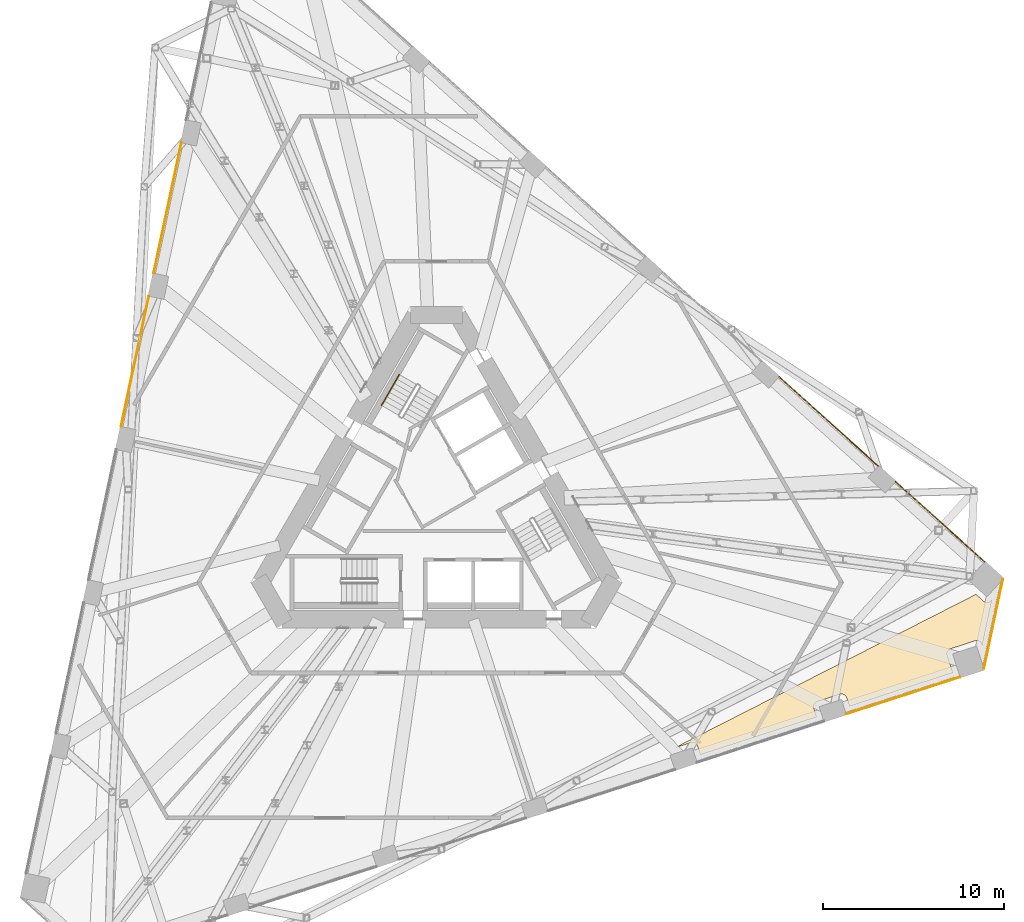
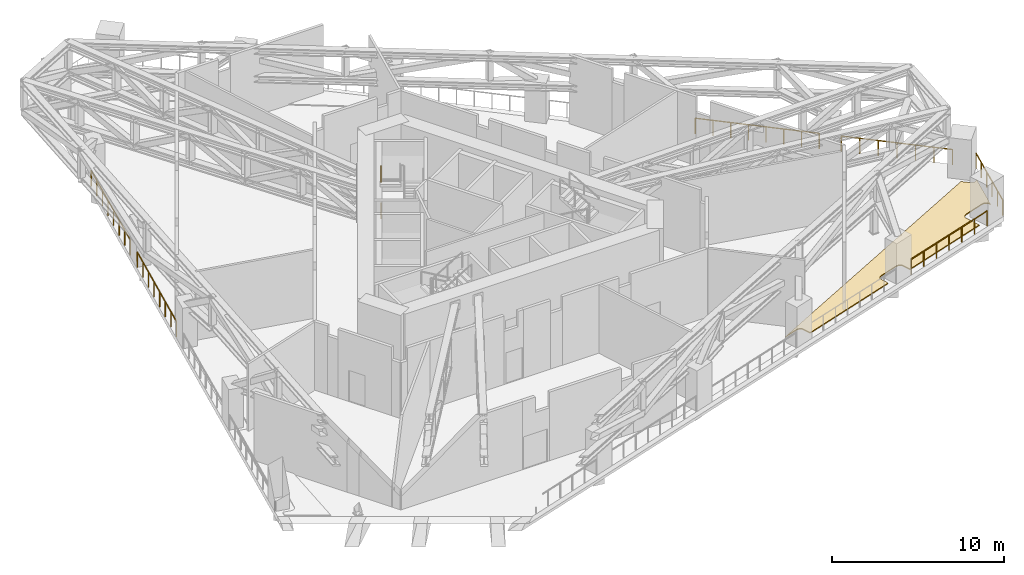
# One storey, part 22 of 24: 8 railings, 2 coverings.
"""IFC4 building model written with IfcOpenShell, lengths in metres."""

from ifc_helpers import new_model, si_unit, direction, frame, origin, origin_2d, place, context, subcontext, project, spatial, polyline, circle, outline, extrude, material, layer, layer_set, type_object, element, save


model = new_model("IFC4")

# Units and contexts
model_context = context("Model", 3, precision=1e-05, world=origin(), true_north=direction((0.0, 1.0)))
body_context = subcontext(model_context, "Body", "Model", "MODEL_VIEW")
ifc_project = project(units=[si_unit("LENGTHUNIT", "METRE"), si_unit("AREAUNIT", "SQUARE_METRE"), si_unit("VOLUMEUNIT", "CUBIC_METRE"), si_unit("PLANEANGLEUNIT", "RADIAN"), si_unit("MASSUNIT", "GRAM", prefix="KILO")], contexts=[model_context])

# Site, building, storey
site_placement = place(None, origin())
site = spatial("IfcSite", under=ifc_project, at=site_placement, CompositionType="ELEMENT")
building_placement = place(site_placement, origin())
building = spatial("IfcBuilding", under=site, at=building_placement, Name="Tramontana Tower", CompositionType="ELEMENT")
storey_placement = place(building_placement, frame((0.0, 0.0, 120.39990234375)))
storey = spatial("IfcBuildingStorey", under=building, at=storey_placement, Name="L27", CompositionType="ELEMENT", Elevation=120.39990234375)

# Railings
ifc_material_1 = material(Name="Stainless steel rail and posts", Category="steel")
railing_type_1 = type_object("IfcRailingType", Name="GD2 Terrace guard 1100", PredefinedType="GUARDRAIL", material=ifc_material_1)
railing_1_placement = place(storey_placement, frame((-15.892333984375, 11.567138671875, 0.0)))
element("IfcRailing", 1, at=railing_1_placement, inside=storey, type_object=railing_type_1, Name="Edge guard L27 6", PredefinedType="GUARDRAIL", context=body_context, shape_type="SweptSolid", body=[
    extrude(circle(Radius=0.02392578125, at=origin_2d()), frame((0.0, 0.0, 1.076171875), z_axis=(-0.20791588359, -0.978146709523, 0.0), x_axis=(0.978146709523, -0.20791588359, 0.0)), (0.0, 0.0, 1.0), 7.360107421875),
    extrude(circle(Radius=0.02099609375, at=origin_2d()), origin(), (0.0, 0.0, 1.0), 1.052001953125),
    extrude(circle(Radius=0.02099609375, at=origin_2d()), frame((-0.218505859375, -1.028564453125, 0.0)), (0.0, 0.0, 1.0), 1.052001953125),
    extrude(circle(Radius=0.02099609375, at=origin_2d()), frame((-0.437255859375, -2.056884765625, 0.0)), (0.0, 0.0, 1.0), 1.052001953125),
    extrude(circle(Radius=0.02099609375, at=origin_2d()), frame((-0.65576171875, -3.08544921875, 0.0)), (0.0, 0.0, 1.0), 1.052001953125),
    extrude(circle(Radius=0.02099609375, at=origin_2d()), frame((-0.87451171875, -4.11376953125, 0.0)), (0.0, 0.0, 1.0), 1.052001953125),
    extrude(circle(Radius=0.02099609375, at=origin_2d()), frame((-1.093017578125, -5.142333984375, 0.0)), (0.0, 0.0, 1.0), 1.052001953125),
    extrude(circle(Radius=0.02099609375, at=origin_2d()), frame((-1.311767578125, -6.170654296875, 0.0)), (0.0, 0.0, 1.0), 1.052001953125),
    extrude(circle(Radius=0.02099609375, at=origin_2d()), frame((-1.5302734375, -7.19921875, 0.0)), (0.0, 0.0, 1.0), 1.052001953125),
])
railing_2_placement = place(storey_placement, frame((-14.091796875, 20.038330078125, 0.0)))
element("IfcRailing", 2, at=railing_2_placement, inside=storey, type_object=railing_type_1, Name="Edge guard L27 7", PredefinedType="GUARDRAIL", context=body_context, shape_type="SweptSolid", body=[
    extrude(circle(Radius=0.02392578125, at=origin_2d()), frame((0.0, 0.0, 1.076171875), z_axis=(-0.207909137741, -0.978148143403, 0.0), x_axis=(0.978148143403, -0.207909137741, 0.0)), (0.0, 0.0, 1.0), 7.3603515625),
    extrude(circle(Radius=0.02099609375, at=origin_2d()), origin(), (0.0, 0.0, 1.0), 1.052001953125),
    extrude(circle(Radius=0.02099609375, at=origin_2d()), frame((-0.218505859375, -1.028564453125, 0.0)), (0.0, 0.0, 1.0), 1.052001953125),
    extrude(circle(Radius=0.02099609375, at=origin_2d()), frame((-0.437255859375, -2.056884765625, 0.0)), (0.0, 0.0, 1.0), 1.052001953125),
    extrude(circle(Radius=0.02099609375, at=origin_2d()), frame((-0.65576171875, -3.08544921875, 0.0)), (0.0, 0.0, 1.0), 1.052001953125),
    extrude(circle(Radius=0.02099609375, at=origin_2d()), frame((-0.87451171875, -4.114013671875, 0.0)), (0.0, 0.0, 1.0), 1.052001953125),
    extrude(circle(Radius=0.02099609375, at=origin_2d()), frame((-1.093017578125, -5.142578125, 0.0)), (0.0, 0.0, 1.0), 1.052001953125),
    extrude(circle(Radius=0.02099609375, at=origin_2d()), frame((-1.311767578125, -6.1708984375, 0.0)), (0.0, 0.0, 1.0), 1.052001953125),
    extrude(circle(Radius=0.02099609375, at=origin_2d()), frame((-1.5302734375, -7.199462890625, 0.0)), (0.0, 0.0, 1.0), 1.052001953125),
])
railing_3_placement = place(storey_placement, frame((24.3994140625, 2.184814453125, 0.0)))
element("IfcRailing", 3, at=railing_3_placement, inside=storey, type_object=railing_type_1, Name="Edge guard L27 18", PredefinedType="GUARDRAIL", context=body_context, shape_type="SweptSolid", body=[
    extrude(circle(Radius=0.02392578125, at=origin_2d()), frame((0.0, 0.0, 1.076171875), z_axis=(-0.743155583218, 0.669118658484, 0.0), x_axis=(-0.669118658484, -0.743155583218, 0.0)), (0.0, 0.0, 1.0), 7.360107421875),
    extrude(circle(Radius=0.02099609375, at=origin_2d()), origin(), (0.0, 0.0, 1.0), 1.052001953125),
    extrude(circle(Radius=0.02099609375, at=origin_2d()), frame((-0.781494140625, 0.70361328125, 0.0)), (0.0, 0.0, 1.0), 1.052001953125),
    extrude(circle(Radius=0.02099609375, at=origin_2d()), frame((-1.562744140625, 1.406982421875, 0.0)), (0.0, 0.0, 1.0), 1.052001953125),
    extrude(circle(Radius=0.02099609375, at=origin_2d()), frame((-2.34423828125, 2.110595703125, 0.0)), (0.0, 0.0, 1.0), 1.052001953125),
    extrude(circle(Radius=0.02099609375, at=origin_2d()), frame((-3.12548828125, 2.814208984375, 0.0)), (0.0, 0.0, 1.0), 1.052001953125),
    extrude(circle(Radius=0.02099609375, at=origin_2d()), frame((-3.906982421875, 3.517822265625, 0.0)), (0.0, 0.0, 1.0), 1.052001953125),
    extrude(circle(Radius=0.02099609375, at=origin_2d()), frame((-4.688232421875, 4.22119140625, 0.0)), (0.0, 0.0, 1.0), 1.052001953125),
    extrude(circle(Radius=0.02099609375, at=origin_2d()), frame((-5.4697265625, 4.9248046875, 0.0)), (0.0, 0.0, 1.0), 1.052001953125),
])
railing_4_placement = place(storey_placement, frame((22.637939453125, -11.518310546875, 0.0)))
element("IfcRailing", 4, at=railing_4_placement, inside=storey, type_object=railing_type_1, Name="Edge guard L27 19", PredefinedType="GUARDRAIL", context=body_context, shape_type="SweptSolid", body=[
    extrude(circle(Radius=0.02392578125, at=origin_2d()), frame((0.0, 0.0, 1.076171875), z_axis=(0.951053066386, 0.309027611901, 0.0), x_axis=(-0.309027611901, 0.951053066386, 0.0)), (0.0, 0.0, 1.0), 6.610107421875),
    extrude(circle(Radius=0.02099609375, at=origin_2d()), origin(), (0.0, 0.0, 1.0), 1.052001953125),
    extrude(circle(Radius=0.02099609375, at=origin_2d()), frame((1.0478515625, 0.34033203125, 0.0)), (0.0, 0.0, 1.0), 1.052001953125),
    extrude(circle(Radius=0.02099609375, at=origin_2d()), frame((2.095458984375, 0.680908203125, 0.0)), (0.0, 0.0, 1.0), 1.052001953125),
    extrude(circle(Radius=0.02099609375, at=origin_2d()), frame((3.143310546875, 1.021484375, 0.0)), (0.0, 0.0, 1.0), 1.052001953125),
    extrude(circle(Radius=0.02099609375, at=origin_2d()), frame((4.191162109375, 1.36181640625, 0.0)), (0.0, 0.0, 1.0), 1.052001953125),
    extrude(circle(Radius=0.02099609375, at=origin_2d()), frame((5.23876953125, 1.7021484375, 0.0)), (0.0, 0.0, 1.0), 1.052001953125),
    extrude(circle(Radius=0.02099609375, at=origin_2d()), frame((6.28662109375, 2.042724609375, 0.0)), (0.0, 0.0, 1.0), 1.052001953125),
])
railing_5_placement = place(storey_placement, frame((30.278076171875, -3.1083984375, 0.0)))
element("IfcRailing", 5, at=railing_5_placement, inside=storey, type_object=railing_type_1, Name="Edge guard L27 20", PredefinedType="GUARDRAIL", context=body_context, shape_type="SweptSolid", body=[
    extrude(circle(Radius=0.02392578125, at=origin_2d()), frame((0.0, 0.0, 1.076171875), z_axis=(-0.743143543235, 0.669132030431, 0.0), x_axis=(-0.669132030431, -0.743143543235, 0.0)), (0.0, 0.0, 1.0), 6.610595703125),
    extrude(circle(Radius=0.02099609375, at=origin_2d()), origin(), (0.0, 0.0, 1.0), 1.052001953125),
    extrude(circle(Radius=0.02099609375, at=origin_2d()), frame((-0.81884765625, 0.7373046875, 0.0)), (0.0, 0.0, 1.0), 1.052001953125),
    extrude(circle(Radius=0.02099609375, at=origin_2d()), frame((-1.637451171875, 1.474365234375, 0.0)), (0.0, 0.0, 1.0), 1.052001953125),
    extrude(circle(Radius=0.02099609375, at=origin_2d()), frame((-2.456298828125, 2.211669921875, 0.0)), (0.0, 0.0, 1.0), 1.052001953125),
    extrude(circle(Radius=0.02099609375, at=origin_2d()), frame((-3.275146484375, 2.948974609375, 0.0)), (0.0, 0.0, 1.0), 1.052001953125),
    extrude(circle(Radius=0.02099609375, at=origin_2d()), frame((-4.09375, 3.68603515625, 0.0)), (0.0, 0.0, 1.0), 1.052001953125),
    extrude(circle(Radius=0.02099609375, at=origin_2d()), frame((-4.91259765625, 4.42333984375, 0.0)), (0.0, 0.0, 1.0), 1.052001953125),
])
railing_6_placement = place(storey_placement, frame((30.240478515625, -8.995361328125, 0.0)))
element("IfcRailing", 6, at=railing_6_placement, inside=storey, type_object=railing_type_1, Name="Edge guard L27 21", PredefinedType="GUARDRAIL", context=body_context, shape_type="SweptSolid", body=[
    extrude(circle(Radius=0.02392578125, at=origin_2d()), frame((0.0, 0.0, 1.076171875), z_axis=(0.207935489662, 0.978142541831, 0.0), x_axis=(-0.978142541831, 0.207935489662, 0.0)), (0.0, 0.0, 1.0), 5.02294921875),
    extrude(circle(Radius=0.02099609375, at=origin_2d()), origin(), (0.0, 0.0, 1.0), 1.052001953125),
    extrude(circle(Radius=0.02099609375, at=origin_2d()), frame((0.208984375, 0.982666015625, 0.0)), (0.0, 0.0, 1.0), 1.052001953125),
    extrude(circle(Radius=0.02099609375, at=origin_2d()), frame((0.417724609375, 1.96533203125, 0.0)), (0.0, 0.0, 1.0), 1.052001953125),
    extrude(circle(Radius=0.02099609375, at=origin_2d()), frame((0.626708984375, 2.94775390625, 0.0)), (0.0, 0.0, 1.0), 1.052001953125),
    extrude(circle(Radius=0.02099609375, at=origin_2d()), frame((0.83544921875, 3.930419921875, 0.0)), (0.0, 0.0, 1.0), 1.052001953125),
    extrude(circle(Radius=0.02099609375, at=origin_2d()), frame((1.04443359375, 4.9130859375, 0.0)), (0.0, 0.0, 1.0), 1.052001953125),
])

# Covering
ifc_material_2 = material(Name="Limestone paving 60", Category="masonry")
ifc_layer_1 = layer(ifc_material_2, 0.06005859375)
ifc_layer_set_1 = layer_set([ifc_layer_1], Name="PV1 Terrace paving 60")
covering_type_1 = type_object("IfcCoveringType", Name="PV1 Terrace paving 60", PredefinedType="FLOORING", material=ifc_layer_set_1)
covering_1_placement = place(storey_placement, frame((0.0, 0.0, 0.010009765625)))
element("IfcCovering", 7, at=covering_1_placement, inside=storey, type_object=covering_type_1, Name="Terrace paving L27 3", PredefinedType="FLOORING", context=body_context, shape_type="SweptSolid", body=[
    extrude(outline(polyline([(30.14892578125, -7.74267578125), (30.124267578125, -7.666259765625), (30.11376953125, -7.638916015625), (30.1005859375, -7.612548828125), (30.0849609375, -7.58740234375), (30.06689453125, -7.564208984375), (30.046875, -7.542724609375), (30.024658203125, -7.5234375), (30.00048828125, -7.50634765625), (29.97509765625, -7.49169921875), (29.9482421875, -7.479736328125), (29.920166015625, -7.47021484375), (29.8916015625, -7.463623046875), (29.8623046875, -7.4599609375), (29.8330078125, -7.458984375), (29.8037109375, -7.461181640625), (29.774658203125, -7.466064453125), (29.74609375, -7.4736328125), (28.41455078125, -7.90625), (28.38720703125, -7.916748046875), (28.36083984375, -7.929931640625), (28.3359375, -7.945556640625), (28.3125, -7.963623046875), (28.291015625, -7.983642578125), (28.271728515625, -8.005859375), (28.254638671875, -8.030029296875), (28.239990234375, -8.055419921875), (28.22802734375, -8.082275390625), (28.21875, -8.1103515625), (28.212158203125, -8.138916015625), (28.208251953125, -8.168212890625), (28.20751953125, -8.197509765625), (28.20947265625, -8.226806640625), (28.21435546875, -8.255859375), (28.22216796875, -8.284423828125), (28.531005859375, -9.2353515625), (22.81494140625, -11.0927734375), (22.660400390625, -10.6171875), (22.64990234375, -10.589599609375), (22.636962890625, -10.563232421875), (22.621337890625, -10.538330078125), (22.603271484375, -10.51513671875), (22.5830078125, -10.49365234375), (22.560791015625, -10.474365234375), (22.536865234375, -10.457275390625), (22.511474609375, -10.442626953125), (22.484619140625, -10.430419921875), (22.45654296875, -10.421142578125), (22.427978515625, -10.41455078125), (22.398681640625, -10.410888671875), (22.369384765625, -10.409912109375), (22.33984375, -10.411865234375), (22.310791015625, -10.416748046875), (22.282470703125, -10.424560546875), (21.046142578125, -10.826171875), (21.0185546875, -10.836669921875), (20.9921875, -10.849853515625), (20.96728515625, -10.865478515625), (20.94384765625, -10.883544921875), (20.922607421875, -10.903564453125), (20.903076171875, -10.92578125), (20.88623046875, -10.949951171875), (20.87158203125, -10.975341796875), (20.859375, -11.002197265625), (20.85009765625, -11.0302734375), (20.843505859375, -11.058837890625), (20.839599609375, -11.088134765625), (20.8388671875, -11.117431640625), (20.8408203125, -11.14697265625), (20.845703125, -11.17578125), (20.853515625, -11.204345703125), (21.008056640625, -11.679931640625), (14.57861328125, -13.768798828125), (14.424072265625, -13.293212890625), (14.41357421875, -13.265869140625), (14.400634765625, -13.239501953125), (14.385009765625, -13.214599609375), (14.366943359375, -13.191162109375), (14.3466796875, -13.169677734375), (14.324462890625, -13.150390625), (14.300537109375, -13.13330078125), (14.27490234375, -13.11865234375), (14.248046875, -13.106689453125), (14.22021484375, -13.097412109375), (14.19140625, -13.0908203125), (14.162353515625, -13.0869140625), (14.1328125, -13.086181640625), (14.103515625, -13.088134765625), (14.074462890625, -13.093017578125), (14.046142578125, -13.100830078125), (13.136474609375, -13.396240234375), (29.805419921875, -4.903076171875), (30.21435546875, -5.271240234375), (30.237060546875, -5.289794921875), (30.26171875, -5.30615234375), (30.28759765625, -5.31982421875), (30.31494140625, -5.3310546875), (30.343017578125, -5.339599609375), (30.3720703125, -5.34521484375), (30.4013671875, -5.347900390625), (30.4306640625, -5.347900390625), (30.4599609375, -5.344970703125), (30.48876953125, -5.339111328125), (30.51708984375, -5.33056640625), (30.544189453125, -5.319091796875), (30.570068359375, -5.30517578125), (30.594482421875, -5.28857421875), (30.6171875, -5.27001953125), (30.637939453125, -5.2490234375), (30.691650390625, -5.189208984375), (30.14892578125, -7.74267578125)])), origin(), (0.0, 0.0, 1.0), 0.06005859375),
])

# Railings
ifc_material_3 = material(Name="Painted steel", Category="steel")
railing_type_2 = type_object("IfcRailingType", Name="STAIR HANDRAIL 900", PredefinedType="HANDRAIL", material=ifc_material_3)
railing_7_placement = place(storey_placement, frame((-2.056640625, 7.238037109375, 1.462646484375)))
element("IfcRailing", 8, at=railing_7_placement, inside=storey, type_object=railing_type_2, Name="L27 ST1 stair handrail 2", PredefinedType="HANDRAIL", context=body_context, shape_type="SweptSolid", body=[
    extrude(circle(Radius=0.02392578125, at=origin_2d()), frame((0.0, 0.0, 0.8759765625), z_axis=(-0.432431929651, -0.749053115811, 0.501918375746), x_axis=(0.866042469362, -0.499970440388, 0.0)), (0.0, 0.0, 1.0), 2.26611328125),
    extrude(circle(Radius=0.02099609375, at=origin_2d()), origin(), (0.0, 0.0, 1.0), 0.851806640625),
    extrude(circle(Radius=0.02099609375, at=origin_2d()), frame((-0.489990234375, -0.8486328125, 0.56884765625)), (0.0, 0.0, 1.0), 0.851806640625),
    extrude(circle(Radius=0.02099609375, at=origin_2d()), frame((-0.97998046875, -1.697509765625, 1.137451171875)), (0.0, 0.0, 1.0), 0.851806640625),
])
railing_8_placement = place(storey_placement, frame((-2.056640625, 7.238037109375, 4.0625)))
element("IfcRailing", 9, at=railing_8_placement, inside=storey, type_object=railing_type_2, Name="L27 ST1 stair handrail 4", PredefinedType="HANDRAIL", context=body_context, shape_type="SweptSolid", body=[
    extrude(circle(Radius=0.02392578125, at=origin_2d()), frame((0.0, 0.0, 0.8759765625), z_axis=(-0.432408546523, -0.749012611852, 0.501998960338), x_axis=(0.866042469362, -0.499970440388, 0.0)), (0.0, 0.0, 1.0), 2.266357421875),
    extrude(circle(Radius=0.02099609375, at=origin_2d()), origin(), (0.0, 0.0, 1.0), 0.851806640625),
    extrude(circle(Radius=0.02099609375, at=origin_2d()), frame((-0.489990234375, -0.8486328125, 0.56884765625)), (0.0, 0.0, 1.0), 0.851806640625),
    extrude(circle(Radius=0.02099609375, at=origin_2d()), frame((-0.97998046875, -1.697509765625, 1.1376953125)), (0.0, 0.0, 1.0), 0.851806640625),
])

# Covering
ifc_material_4 = material(Name="Bituminous waterproofing membrane")
ifc_layer_2 = layer(ifc_material_4, 0.010009765625)
ifc_layer_set_2 = layer_set([ifc_layer_2], Name="WP1 Terrace waterproofing membrane 10")
covering_type_2 = type_object("IfcCoveringType", Name="WP1 Terrace waterproofing membrane 10", PredefinedType="MEMBRANE", material=ifc_layer_set_2)
covering_2_placement = place(storey_placement, origin())
element("IfcCovering", 10, at=covering_2_placement, inside=storey, type_object=covering_type_2, Name="Terrace membrane L27 3", PredefinedType="MEMBRANE", context=body_context, shape_type="SweptSolid", body=[
    extrude(outline(polyline([(30.14892578125, -7.74267578125), (30.124267578125, -7.666259765625), (30.11376953125, -7.638916015625), (30.1005859375, -7.612548828125), (30.0849609375, -7.58740234375), (30.06689453125, -7.564208984375), (30.046875, -7.542724609375), (30.024658203125, -7.5234375), (30.00048828125, -7.50634765625), (29.97509765625, -7.49169921875), (29.9482421875, -7.479736328125), (29.920166015625, -7.47021484375), (29.8916015625, -7.463623046875), (29.8623046875, -7.4599609375), (29.8330078125, -7.458984375), (29.8037109375, -7.461181640625), (29.774658203125, -7.466064453125), (29.74609375, -7.4736328125), (28.41455078125, -7.90625), (28.38720703125, -7.916748046875), (28.36083984375, -7.929931640625), (28.3359375, -7.945556640625), (28.3125, -7.963623046875), (28.291015625, -7.983642578125), (28.271728515625, -8.005859375), (28.254638671875, -8.030029296875), (28.239990234375, -8.055419921875), (28.22802734375, -8.082275390625), (28.21875, -8.1103515625), (28.212158203125, -8.138916015625), (28.208251953125, -8.168212890625), (28.20751953125, -8.197509765625), (28.20947265625, -8.226806640625), (28.21435546875, -8.255859375), (28.22216796875, -8.284423828125), (28.531005859375, -9.2353515625), (22.81494140625, -11.0927734375), (22.660400390625, -10.6171875), (22.64990234375, -10.589599609375), (22.636962890625, -10.563232421875), (22.621337890625, -10.538330078125), (22.603271484375, -10.51513671875), (22.5830078125, -10.49365234375), (22.560791015625, -10.474365234375), (22.536865234375, -10.457275390625), (22.511474609375, -10.442626953125), (22.484619140625, -10.430419921875), (22.45654296875, -10.421142578125), (22.427978515625, -10.41455078125), (22.398681640625, -10.410888671875), (22.369384765625, -10.409912109375), (22.33984375, -10.411865234375), (22.310791015625, -10.416748046875), (22.282470703125, -10.424560546875), (21.046142578125, -10.826171875), (21.0185546875, -10.836669921875), (20.9921875, -10.849853515625), (20.96728515625, -10.865478515625), (20.94384765625, -10.883544921875), (20.922607421875, -10.903564453125), (20.903076171875, -10.92578125), (20.88623046875, -10.949951171875), (20.87158203125, -10.975341796875), (20.859375, -11.002197265625), (20.85009765625, -11.0302734375), (20.843505859375, -11.058837890625), (20.839599609375, -11.088134765625), (20.8388671875, -11.117431640625), (20.8408203125, -11.14697265625), (20.845703125, -11.17578125), (20.853515625, -11.204345703125), (21.008056640625, -11.679931640625), (14.57861328125, -13.768798828125), (14.424072265625, -13.293212890625), (14.41357421875, -13.265869140625), (14.400634765625, -13.239501953125), (14.385009765625, -13.214599609375), (14.366943359375, -13.191162109375), (14.3466796875, -13.169677734375), (14.324462890625, -13.150390625), (14.300537109375, -13.13330078125), (14.27490234375, -13.11865234375), (14.248046875, -13.106689453125), (14.22021484375, -13.097412109375), (14.19140625, -13.0908203125), (14.162353515625, -13.0869140625), (14.1328125, -13.086181640625), (14.103515625, -13.088134765625), (14.074462890625, -13.093017578125), (14.046142578125, -13.100830078125), (13.136474609375, -13.396240234375), (29.805419921875, -4.903076171875), (30.21435546875, -5.271240234375), (30.237060546875, -5.289794921875), (30.26171875, -5.30615234375), (30.28759765625, -5.31982421875), (30.31494140625, -5.3310546875), (30.343017578125, -5.339599609375), (30.3720703125, -5.34521484375), (30.4013671875, -5.347900390625), (30.4306640625, -5.347900390625), (30.4599609375, -5.344970703125), (30.48876953125, -5.339111328125), (30.51708984375, -5.33056640625), (30.544189453125, -5.319091796875), (30.570068359375, -5.30517578125), (30.594482421875, -5.28857421875), (30.6171875, -5.27001953125), (30.637939453125, -5.2490234375), (30.691650390625, -5.189208984375), (30.14892578125, -7.74267578125)])), origin(), (0.0, 0.0, 1.0), 0.010009765625),
])

save(model, "model.ifc")
